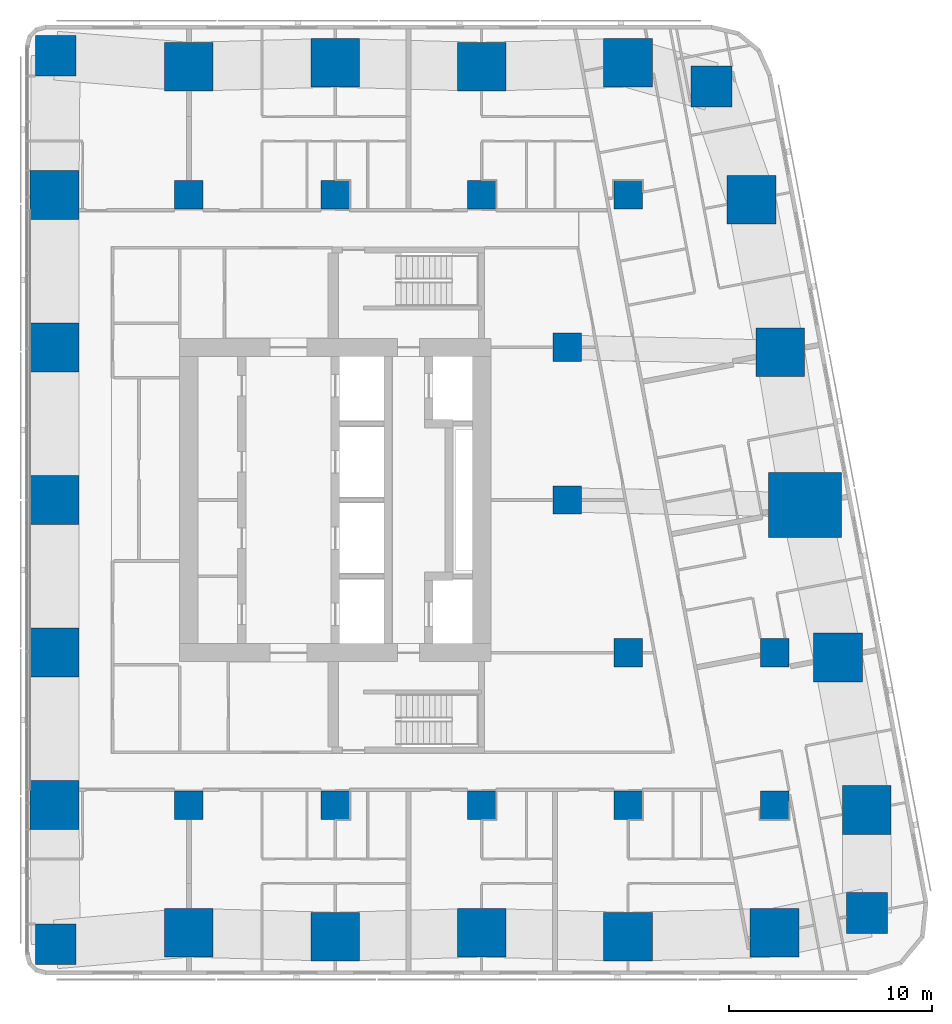
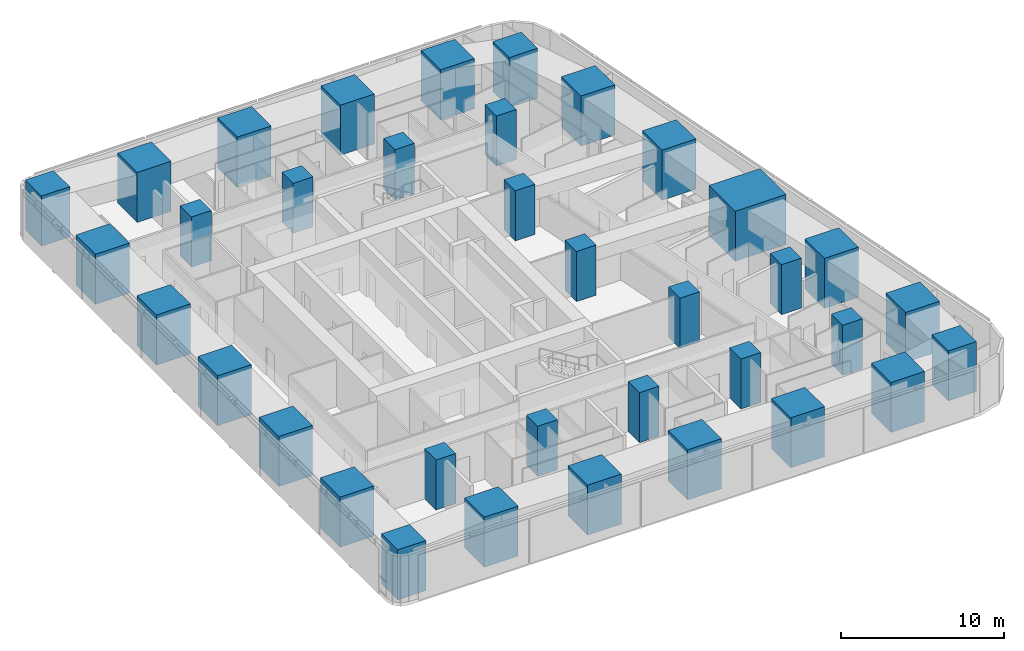
# One storey, part 1 of 19: 36 columns.
"""IFC4 building model written with IfcOpenShell, lengths in metres."""

from ifc_helpers import new_model, si_unit, direction, frame, origin, origin_2d, place, context, subcontext, project, spatial, rectangle, extrude, material, material_profile, profile_set, type_object, element, save


model = new_model("IFC4")

# Units and contexts
model_context = context("Model", 3, precision=1e-05, world=origin(), true_north=direction((0.0, 1.0)))
body_context = subcontext(model_context, "Body", "Model", "MODEL_VIEW")
ifc_project = project(units=[si_unit("LENGTHUNIT", "METRE"), si_unit("AREAUNIT", "SQUARE_METRE"), si_unit("VOLUMEUNIT", "CUBIC_METRE"), si_unit("PLANEANGLEUNIT", "RADIAN"), si_unit("MASSUNIT", "GRAM", prefix="KILO")], contexts=[model_context])

# Site, building, storey
site_placement = place(None, origin())
site = spatial("IfcSite", under=ifc_project, at=site_placement, CompositionType="ELEMENT")
building_placement = place(site_placement, origin())
building = spatial("IfcBuilding", under=site, at=building_placement, Name="Sheger Commons Tower", CompositionType="ELEMENT")
storey_placement = place(building_placement, frame((0.0, 0.0, 216.199951171875)))
storey = spatial("IfcBuildingStorey", under=building, at=storey_placement, Name="L55", CompositionType="ELEMENT", Elevation=216.199951171875)

# Columns
ifc_material_1 = material(Name="Concrete C50/60", Category="concrete")
ifc_material_profile_1 = material_profile(ifc_material_1, rectangle(XDim=3.60009765625, YDim=3.199951171875, at=origin_2d()), Name="RC 3600x3200")
ifc_profile_set_1 = profile_set([ifc_material_profile_1], Name="Concrete C50/60")
column_type_1 = type_object("IfcColumnType", Name="COLUMN PIER RC 3600x3200", PredefinedType="COLUMN", material=ifc_profile_set_1)
column_placement = place(storey_placement, frame((44.697021484375, 22.262939453125, 0.0), z_axis=(0.0, 0.0, 1.0), x_axis=(1.0, 0.0, 0.0)))
element("IfcColumn", 1, at=column_placement, inside=storey, type_object=column_type_1, Name="Pier 7/D+E/D L55", PredefinedType="COLUMN", context=body_context, shape_type="SweptSolid", body=[
    extrude(rectangle(XDim=3.60009765625, YDim=3.199951171875, at=origin_2d()), origin(), (0.0, 0.0, 1.0), 3.75),
])
ifc_material_2 = material(Name="Concrete C50/60", Category="concrete")
ifc_material_profile_2 = material_profile(ifc_material_2, rectangle(XDim=1.39990234375, YDim=1.39990234375, at=origin_2d()), Name="RC 1400x1400")
ifc_profile_set_2 = profile_set([ifc_material_profile_2], Name="Concrete C50/60")
column_type_2 = type_object("IfcColumnType", Name="COLUMN RC 1400x1400", PredefinedType="COLUMN", material=ifc_profile_set_2)
for number, where, z_axis, x_axis, name in (
    (2, (14.39990234375, 7.5, 0.0), (0.0, 0.0, 1.0), (1.0, 0.0, 0.0), "Column 3/B L55"),
    (3, (21.60009765625, 7.5, 0.0), (0.0, 0.0, 1.0), (1.0, 0.0, 0.0), "Column 4/B L55"),
    (4, (28.800048828125, 7.5, 0.0), (0.0, 0.0, 1.0), (1.0, 0.0, 0.0), "Column 5/B L55"),
    (5, (36.0, 7.5, 0.0), (0.0, 0.0, 1.0), (1.0, 0.0, 0.0), "Column 6/B L55"),
    (6, (43.199951171875, 7.5, 0.0), (0.0, 0.0, 1.0), (1.0, 0.0, 0.0), "Column 7/B L55"),
    (7, (36.0, 15.0, 0.0), (0.0, 0.0, 1.0), (1.0, 0.0, 0.0), "Column 6/C L55"),
    (8, (43.199951171875, 15.0, 0.0), (0.0, 0.0, 1.0), (1.0, 0.0, 0.0), "Column 7/C L55"),
    (9, (33.0, 22.5, 0.0), (0.0, 0.0, 1.0), (1.0, 0.0, 0.0), "Column 6-3000/D L55"),
    (10, (33.0, 30.0, 0.0), (0.0, 0.0, 1.0), (1.0, 0.0, 0.0), "Column 6-3000/E L55"),
    (11, (14.39990234375, 37.5, 0.0), (0.0, 0.0, 1.0), (1.0, 0.0, 0.0), "Column 3/F L55"),
    (12, (21.60009765625, 37.5, 0.0), (0.0, 0.0, 1.0), (1.0, 0.0, 0.0), "Column 4/F L55"),
    (13, (28.800048828125, 37.5, 0.0), (0.0, 0.0, 1.0), (1.0, 0.0, 0.0), "Column 5/F L55"),
    (14, (36.0, 37.5, 0.0), (0.0, 0.0, 1.0), (1.0, 0.0, 0.0), "Column 6/F L55"),
):
    element("IfcColumn", number, at=place(storey_placement, frame(where, z_axis=z_axis, x_axis=x_axis)), inside=storey, type_object=column_type_2, Name=name, PredefinedType="COLUMN", context=body_context, shape_type="SweptSolid", body=[
        extrude(rectangle(XDim=1.39990234375, YDim=1.39990234375, at=origin_2d()), origin(), (0.0, 0.0, 1.0), 3.75),
    ])
ifc_material_3 = material(Name="Concrete C50/60", Category="concrete")
ifc_material_profile_3 = material_profile(ifc_material_3, rectangle(XDim=2.0, YDim=2.0, at=origin_2d()), Name="RC 2000x2000")
ifc_profile_set_3 = profile_set([ifc_material_profile_3], Name="Concrete C50/60")
column_type_3 = type_object("IfcColumnType", Name="COLUMN RC 2000x2000", PredefinedType="COLUMN", material=ifc_profile_set_3)
for number, where, z_axis, x_axis, name in (
    (15, (7.85400390625, 0.654052734375, 0.0), (0.0, 0.0, 1.0), (1.0, 0.0, 0.0), "Column 2/A L55"),
    (16, (47.748046875, 2.197021484375, 0.0), (0.0, 0.0, 1.0), (1.0, 0.0, 0.0), "Column 49.461,0.778 L55"),
    (17, (40.10205078125, 42.830078125, 0.0), (0.0, 0.0, 1.0), (1.0, 0.0, 0.0), "Column 41.490,44.505 L55"),
    (18, (7.85400390625, 44.345947265625, 0.0), (0.0, 0.0, 1.0), (1.0, 0.0, 0.0), "Column 2/G L55"),
):
    element("IfcColumn", number, at=place(storey_placement, frame(where, z_axis=z_axis, x_axis=x_axis)), inside=storey, type_object=column_type_3, Name=name, PredefinedType="COLUMN", context=body_context, shape_type="SweptSolid", body=[
        extrude(rectangle(XDim=2.0, YDim=2.0, at=origin_2d()), origin(), (0.0, 0.0, 1.0), 3.75),
    ])
ifc_material_4 = material(Name="Concrete C50/60", Category="concrete")
ifc_material_profile_4 = material_profile(ifc_material_4, rectangle(XDim=2.39990234375, YDim=2.39990234375, at=origin_2d()), Name="RC 2400x2400")
ifc_profile_set_4 = profile_set([ifc_material_profile_4], Name="Concrete C50/60")
column_type_4 = type_object("IfcColumnType", Name="COLUMN RC 2400x2400", PredefinedType="COLUMN", material=ifc_profile_set_4)
for number, where, z_axis, x_axis, name in (
    (19, (14.39990234375, 1.22509765625, 0.0), (0.0, 0.0, 1.0), (1.0, 0.0, 0.0), "Column 3/A L55"),
    (20, (21.60009765625, 1.02490234375, 0.0), (0.0, 0.0, 1.0), (1.0, 0.0, 0.0), "Column 4/A L55"),
    (21, (28.800048828125, 1.22509765625, 0.0), (0.0, 0.0, 1.0), (1.0, 0.0, 0.0), "Column 5/A L55"),
    (22, (36.0, 1.02490234375, 0.0), (0.0, 0.0, 1.0), (1.0, 0.0, 0.0), "Column 6/A L55"),
    (23, (43.199951171875, 1.22509765625, 0.0), (0.0, 0.0, 1.0), (1.0, 0.0, 0.0), "Column 7/A L55"),
    (24, (7.800048828125, 7.5, 0.0), (0.0, 0.0, 1.0), (1.0, 0.0, 0.0), "Column 2/B L55"),
    (25, (47.72998046875, 7.262939453125, 0.0), (0.0, 0.0, 1.0), (1.0, 0.0, 0.0), "Column E/B L55"),
    (26, (7.800048828125, 15.0, 0.0), (0.0, 0.0, 1.0), (1.0, 0.0, 0.0), "Column 2/C L55"),
    (27, (46.31396484375, 14.762939453125, 0.0), (0.0, 0.0, 1.0), (1.0, 0.0, 0.0), "Column E/C L55"),
    (28, (7.800048828125, 22.5, 0.0), (0.0, 0.0, 1.0), (1.0, 0.0, 0.0), "Column 2/D L55"),
    (29, (7.800048828125, 30.0, 0.0), (0.0, 0.0, 1.0), (1.0, 0.0, 0.0), "Column 2/E L55"),
    (30, (43.47998046875, 29.762939453125, 0.0), (0.0, 0.0, 1.0), (1.0, 0.0, 0.0), "Column E/E L55"),
    (31, (7.800048828125, 37.5, 0.0), (0.0, 0.0, 1.0), (1.0, 0.0, 0.0), "Column 2/F L55"),
    (32, (42.06396484375, 37.262939453125, 0.0), (0.0, 0.0, 1.0), (1.0, 0.0, 0.0), "Column E/F L55"),
    (33, (14.39990234375, 43.800048828125, 0.0), (0.0, 0.0, 1.0), (1.0, 0.0, 0.0), "Column 3/G L55"),
    (34, (21.60009765625, 44.0, 0.0), (0.0, 0.0, 1.0), (1.0, 0.0, 0.0), "Column 4/G L55"),
    (35, (28.800048828125, 43.800048828125, 0.0), (0.0, 0.0, 1.0), (1.0, 0.0, 0.0), "Column 5/G L55"),
    (36, (36.0, 44.0, 0.0), (0.0, 0.0, 1.0), (1.0, 0.0, 0.0), "Column 6/G L55"),
):
    element("IfcColumn", number, at=place(storey_placement, frame(where, z_axis=z_axis, x_axis=x_axis)), inside=storey, type_object=column_type_4, Name=name, PredefinedType="COLUMN", context=body_context, shape_type="SweptSolid", body=[
        extrude(rectangle(XDim=2.39990234375, YDim=2.39990234375, at=origin_2d()), origin(), (0.0, 0.0, 1.0), 3.75),
    ])

save(model, "model.ifc")
